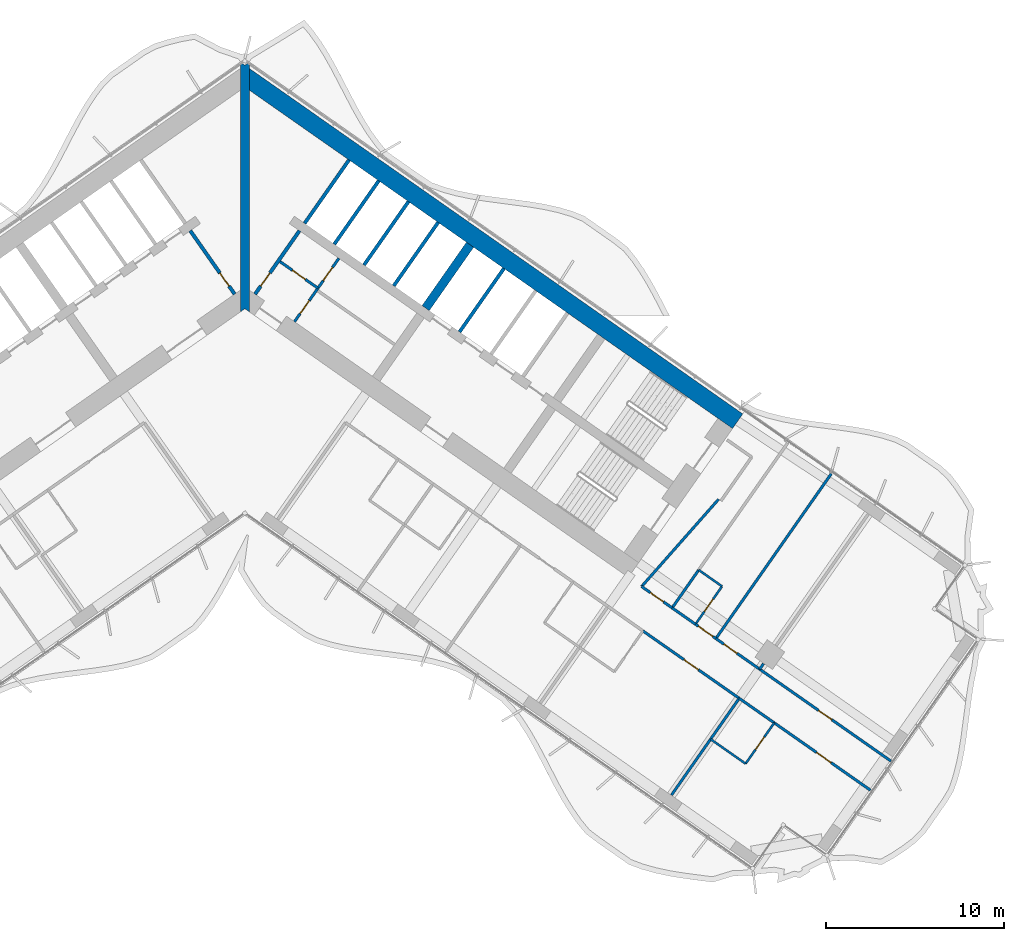
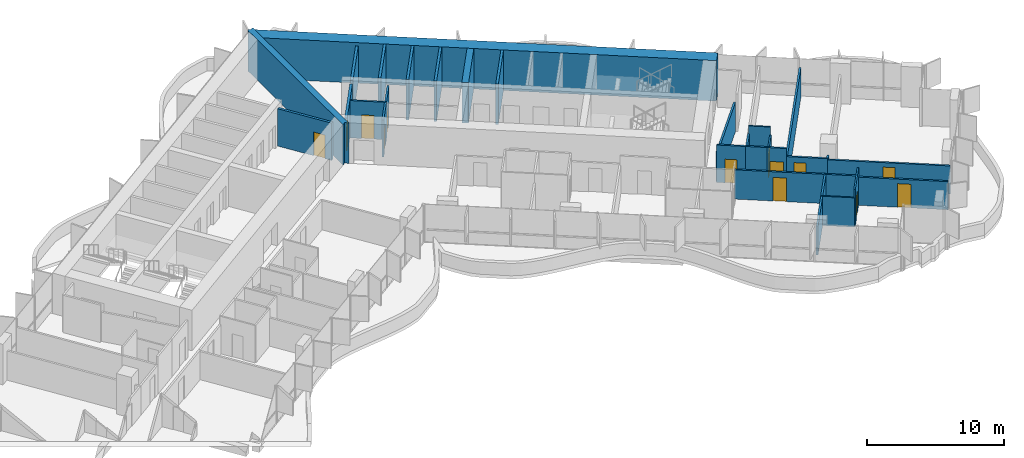
# One storey, part 15 of 23: 30 walls, 13 doors, 13 openings.
"""IFC4 building model written with IfcOpenShell, lengths in metres."""

from ifc_helpers import new_model, si_unit, direction, frame, frame_2d, origin, place, context, subcontext, project, spatial, polyline, rectangle, outline, extrude, material, layer, layer_set, type_object, element, fill, save


model = new_model("IFC4")

# Units and contexts
model_context = context("Model", 3, precision=1e-05, world=origin(), true_north=direction((0.0, 1.0)))
body_context = subcontext(model_context, "Body", "Model", "MODEL_VIEW")
ifc_project = project(units=[si_unit("LENGTHUNIT", "METRE"), si_unit("AREAUNIT", "SQUARE_METRE"), si_unit("VOLUMEUNIT", "CUBIC_METRE"), si_unit("PLANEANGLEUNIT", "RADIAN"), si_unit("MASSUNIT", "GRAM", prefix="KILO")], contexts=[model_context])

# Site, building, storey
site_placement = place(None, origin())
site = spatial("IfcSite", under=ifc_project, at=site_placement, CompositionType="ELEMENT")
building_placement = place(site_placement, origin())
building = spatial("IfcBuilding", under=site, at=building_placement, Name="Tel Ilan Convention Tower", CompositionType="ELEMENT")
storey_placement = place(building_placement, frame((0.0, 0.0, 104.89990234375)))
storey = spatial("IfcBuildingStorey", under=building, at=storey_placement, Name="L22", CompositionType="ELEMENT", Elevation=104.89990234375)

# Wall, openings, doors
ifc_material_1 = material(Name="Gypsum Plasterboard on Steel Stud", Category="steel")
ifc_layer_1 = layer(ifc_material_1, 0.14990234375)
ifc_layer_set_1 = layer_set([ifc_layer_1], Name="Core Room Partition Wall 150 mm EI 60")
wall_type_1 = type_object("IfcWallType", Name="Core Room Partition Wall 150 mm EI 60", PredefinedType="PARTITIONING", material=ifc_layer_set_1)
wall_1_placement = place(storey_placement, frame((2.78515625, -1.9501953125, 0.0), z_axis=(0.0, 0.0, 1.0), x_axis=(0.57356780395, 0.819158088694, 0.0)))
wall_1 = element("IfcWall", 1, at=wall_1_placement, inside=storey, type_object=wall_type_1, Name="L22 core wall wc-v1", PredefinedType="PARTITIONING", context=body_context, shape_type="SweptSolid", body=[
    extrude(rectangle(XDim=4.35009765625, YDim=0.14990234375, at=frame_2d((2.175048828125, 0.0))), origin(), (0.0, 0.0, 1.0), 3.320068359375),
])
opening_1_placement = place(wall_1_placement, frame((0.550048828125, 0.0, 0.0)))
opening_1 = element("IfcOpeningElement", 2, at=opening_1_placement, cuts=wall_1, Name="Opening CD1909", PredefinedType="OPENING", context=body_context, shape_type="SweptSolid", body=[
    extrude(rectangle(XDim=0.89990234375, YDim=2.10009765625, at=frame_2d((0.449951171875, 1.050048828125))), frame((0.0, 0.0849609375, 0.0), z_axis=(0.0, -1.0, 0.0), x_axis=(1.0, 0.0, 0.0)), (0.0, 0.0, 1.0), 0.169921875),
])
opening_2_placement = place(wall_1_placement, frame((2.824951171875, 0.0, 0.0)))
opening_2 = element("IfcOpeningElement", 3, at=opening_2_placement, cuts=wall_1, Name="Opening CD1910", PredefinedType="OPENING", context=body_context, shape_type="SweptSolid", body=[
    extrude(rectangle(XDim=0.89990234375, YDim=2.10009765625, at=frame_2d((0.449951171875, 1.050048828125))), frame((0.0, 0.0849609375, 0.0), z_axis=(0.0, -1.0, 0.0), x_axis=(1.0, 0.0, 0.0)), (0.0, 0.0, 1.0), 0.169921875),
])
ifc_material_2 = material(Name="Laminated Timber Door Leaf", Category="wood")
door_type_1 = type_object("IfcDoorType", Name="Toilet Door 900 x 2100 FD30S", OperationType="NOTDEFINED", PredefinedType="DOOR", material=ifc_material_2)
door_1_placement = place(opening_1_placement, origin())
door_1 = element("IfcDoor", 4, at=door_1_placement, inside=storey, type_object=door_type_1, Name="Women's WC door", OperationType="SINGLE_SWING_RIGHT", OverallHeight=2.10009765625, OverallWidth=0.89990234375, PredefinedType="DOOR", context=body_context, shape_type="SweptSolid", body=[
    extrude(rectangle(XDim=0.89990234375, YDim=2.10009765625, at=frame_2d((0.449951171875, 1.050048828125))), frame((0.0, 0.02490234375, 0.0), z_axis=(0.0, -1.0, 0.0), x_axis=(1.0, 0.0, 0.0)), (0.0, 0.0, 1.0), 0.050048828125),
])
fill(opening_1, door_1)
door_2_placement = place(opening_2_placement, origin())
door_2 = element("IfcDoor", 5, at=door_2_placement, inside=storey, type_object=door_type_1, Name="Men's WC door", OperationType="SINGLE_SWING_RIGHT", OverallHeight=2.10009765625, OverallWidth=0.89990234375, PredefinedType="DOOR", context=body_context, shape_type="SweptSolid", body=[
    extrude(rectangle(XDim=0.89990234375, YDim=2.10009765625, at=frame_2d((0.449951171875, 1.050048828125))), frame((0.0, 0.02490234375, 0.0), z_axis=(0.0, -1.0, 0.0), x_axis=(1.0, 0.0, 0.0)), (0.0, 0.0, 1.0), 0.050048828125),
])
fill(opening_2, door_2)

# Wall, opening, door
wall_2_placement = place(storey_placement, frame((1.974609375, 1.42529296875, 0.0), z_axis=(0.0, 0.0, 1.0), x_axis=(0.819103967032, -0.573645091666, 0.0)))
wall_2 = element("IfcWall", 6, at=wall_2_placement, inside=storey, type_object=wall_type_1, Name="L22 core wall wc-h1", PredefinedType="PARTITIONING", context=body_context, shape_type="SweptSolid", body=[
    extrude(rectangle(XDim=2.599853515625, YDim=0.14990234375, at=frame_2d((1.2998046875, 0.0))), origin(), (0.0, 0.0, 1.0), 3.320068359375),
])
opening_3_placement = place(wall_2_placement, frame((0.85009765625, 0.0, 0.0)))
opening_3 = element("IfcOpeningElement", 7, at=opening_3_placement, cuts=wall_2, Name="Opening CD1908", PredefinedType="OPENING", context=body_context, shape_type="SweptSolid", body=[
    extrude(rectangle(XDim=0.89990234375, YDim=2.10009765625, at=frame_2d((0.449951171875, 1.050048828125))), frame((0.0, 0.0849609375, 0.0), z_axis=(0.0, -1.0, 0.0), x_axis=(1.0, 0.0, 0.0)), (0.0, 0.0, 1.0), 0.169921875),
])
door_3_placement = place(opening_3_placement, origin())
door_3 = element("IfcDoor", 8, at=door_3_placement, inside=storey, type_object=door_type_1, Name="Accessible WC door", OperationType="SINGLE_SWING_RIGHT", OverallHeight=2.10009765625, OverallWidth=0.89990234375, PredefinedType="DOOR", context=body_context, shape_type="SweptSolid", body=[
    extrude(rectangle(XDim=0.89990234375, YDim=2.10009765625, at=frame_2d((0.449951171875, 1.050048828125))), frame((0.0, 0.02490234375, 0.0), z_axis=(0.0, -1.0, 0.0), x_axis=(1.0, 0.0, 0.0)), (0.0, 0.0, 1.0), 0.050048828125),
])
fill(opening_3, door_3)

ifc_material_3 = material(Name="Concrete C30/37", Category="concrete")
ifc_layer_2 = layer(ifc_material_3, 0.199951171875)
ifc_layer_set_2 = layer_set([ifc_layer_2], Name="Core Service Room Wall 200 mm C30/37")
wall_type_2 = type_object("IfcWallType", Name="Core Service Room Wall 200 mm C30/37", PredefinedType="SOLIDWALL", material=ifc_layer_set_2)
wall_3_placement = place(storey_placement, frame((-0.573486328125, -0.401611328125, 0.0), z_axis=(0.0, 0.0, 1.0), x_axis=(-0.57356780395, 0.819158088694, 0.0)))
wall_3 = element("IfcWall", 9, at=wall_3_placement, inside=storey, type_object=wall_type_2, Name="L22 core wall apex-W", PredefinedType="SOLIDWALL", context=body_context, shape_type="SweptSolid", body=[
    extrude(rectangle(XDim=4.35009765625, YDim=0.199951171875, at=frame_2d((2.175048828125, 0.0))), origin(), (0.0, 0.0, 1.0), 3.320068359375),
])
opening_4_placement = place(wall_3_placement, frame((0.550048828125, 0.0, 0.0)))
opening_4 = element("IfcOpeningElement", 10, at=opening_4_placement, cuts=wall_3, Name="Opening CD1902", PredefinedType="OPENING", context=body_context, shape_type="SweptSolid", body=[
    extrude(rectangle(XDim=0.89990234375, YDim=2.10009765625, at=frame_2d((0.449951171875, 1.050048828125))), frame((0.0, 0.10986328125, 0.0), z_axis=(0.0, -1.0, 0.0), x_axis=(1.0, 0.0, 0.0)), (0.0, 0.0, 1.0), 0.219970703125),
])
ifc_material_4 = material(Name="Galvanised Steel Door Leaf", Category="steel")
door_type_2 = type_object("IfcDoorType", Name="Service Room Door 900 x 2100 FD60", OperationType="NOTDEFINED", PredefinedType="DOOR", material=ifc_material_4)
door_4_placement = place(opening_4_placement, origin())
door_4 = element("IfcDoor", 11, at=door_4_placement, inside=storey, type_object=door_type_2, Name="Electrical Room door", OperationType="SINGLE_SWING_RIGHT", OverallHeight=2.10009765625, OverallWidth=0.89990234375, PredefinedType="DOOR", context=body_context, shape_type="SweptSolid", body=[
    extrude(rectangle(XDim=0.89990234375, YDim=2.10009765625, at=frame_2d((0.449951171875, 1.050048828125))), frame((0.0, 0.02490234375, 0.0), z_axis=(0.0, -1.0, 0.0), x_axis=(1.0, 0.0, 0.0)), (0.0, 0.0, 1.0), 0.050048828125),
])
fill(opening_4, door_4)

wall_4_placement = place(storey_placement, frame((0.573486328125, -0.401611328125, 0.0), z_axis=(0.0, 0.0, 1.0), x_axis=(0.57356780395, 0.819158088694, 0.0)))
wall_4 = element("IfcWall", 12, at=wall_4_placement, inside=storey, type_object=wall_type_2, Name="L22 core wall apex-E", PredefinedType="SOLIDWALL", context=body_context, shape_type="SweptSolid", body=[
    extrude(rectangle(XDim=4.35009765625, YDim=0.199951171875, at=frame_2d((2.175048828125, 0.0))), origin(), (0.0, 0.0, 1.0), 3.320068359375),
])
opening_5_placement = place(wall_4_placement, frame((0.550048828125, 0.0, 0.0)))
opening_5 = element("IfcOpeningElement", 13, at=opening_5_placement, cuts=wall_4, Name="Opening CD1901", PredefinedType="OPENING", context=body_context, shape_type="SweptSolid", body=[
    extrude(rectangle(XDim=0.89990234375, YDim=2.10009765625, at=frame_2d((0.449951171875, 1.050048828125))), frame((0.0, 0.10986328125, 0.0), z_axis=(0.0, -1.0, 0.0), x_axis=(1.0, 0.0, 0.0)), (0.0, 0.0, 1.0), 0.219970703125),
])
door_5_placement = place(opening_5_placement, origin())
door_5 = element("IfcDoor", 14, at=door_5_placement, inside=storey, type_object=door_type_2, Name="Store Room door", OperationType="SINGLE_SWING_RIGHT", OverallHeight=2.10009765625, OverallWidth=0.89990234375, PredefinedType="DOOR", context=body_context, shape_type="SweptSolid", body=[
    extrude(rectangle(XDim=0.89990234375, YDim=2.10009765625, at=frame_2d((0.449951171875, 1.050048828125))), frame((0.0, 0.02490234375, 0.0), z_axis=(0.0, -1.0, 0.0), x_axis=(1.0, 0.0, 0.0)), (0.0, 0.0, 1.0), 0.050048828125),
])
fill(opening_5, door_5)

# Walls
wall_5_placement = place(storey_placement, frame((3.355224609375, 3.5712890625, 0.0), z_axis=(0.0, 0.0, 1.0), x_axis=(0.57356780395, 0.819158088694, 0.0)))
element("IfcWall", 15, at=wall_5_placement, inside=storey, type_object=wall_type_2, Name="L22 core wall apex-E-b", PredefinedType="SOLIDWALL", context=body_context, shape_type="SweptSolid", body=[
    extrude(rectangle(XDim=4.35009765625, YDim=0.199951171875, at=frame_2d((2.175048828125, 0.0))), origin(), (0.0, 0.0, 1.0), 3.320068359375),
])
ifc_material_5 = material(Name="Concrete C60/75", Category="concrete")
ifc_layer_3 = layer(ifc_material_5, 1.0)
ifc_layer_set_3 = layer_set([ifc_layer_3], Name="Core Shear Wall 1000 mm C60/75")
wall_type_3 = type_object("IfcWallType", Name="Core Shear Wall 1000 mm C60/75", PredefinedType="SHEAR", material=ifc_layer_set_3)
wall_6_placement = place(storey_placement, frame((-0.036865234375, 11.8671875, 0.0), z_axis=(0.0, 0.0, 1.0), x_axis=(0.819155306259, -0.573571777746, 0.0)))
element("IfcWall", 16, at=wall_6_placement, inside=storey, type_object=wall_type_3, Name="L22 core wall E-back", PredefinedType="SHEAR", context=body_context, shape_type="SweptSolid", body=[
    extrude(outline(polyline([(33.8369140625, 0.5), (0.0, 0.5), (0.7001953125, -0.499755859375), (33.8369140625, -0.5), (33.8369140625, 0.5)])), origin(), (0.0, 0.0, 1.0), 3.60009765625),
])
ifc_material_6 = material(Name="Concrete C60/75", Category="concrete")
ifc_layer_4 = layer(ifc_material_6, 0.5)
ifc_layer_set_4 = layer_set([ifc_layer_4], Name="Core Shear Wall 500 mm C60/75")
wall_type_4 = type_object("IfcWallType", Name="Core Shear Wall 500 mm C60/75", PredefinedType="SHEAR", material=ifc_layer_set_4)
wall_7_placement = place(storey_placement, frame((10.154296875, -1.189208984375, 0.0), z_axis=(0.0, 0.0, 1.0), x_axis=(0.573594173421, 0.819139624372, 0.0)))
element("IfcWall", 17, at=wall_7_placement, inside=storey, type_object=wall_type_4, Name="L22 core wall E-cross1-2", PredefinedType="SHEAR", context=body_context, shape_type="SweptSolid", body=[
    extrude(outline(polyline([(4.349853515625, -0.25), (4.349853515625, 0.25), (-0.000244140625, 0.25), (-0.000244140625, -0.25), (4.349853515625, -0.25)])), origin(), (0.0, 0.0, 1.0), 3.60009765625),
])
wall_8_placement = place(storey_placement, frame((0.0, -1.395751953125, 0.0), z_axis=(0.0, 0.0, 1.0), x_axis=(0.0, 1.0, 0.0)))
element("IfcWall", 18, at=wall_8_placement, inside=storey, type_object=wall_type_4, Name="L22 core wall K-central", PredefinedType="SHEAR", context=body_context, shape_type="SweptSolid", body=[
    extrude(outline(polyline([(0.0, -0.25), (0.175048828125, -0.25), (1.220703125, -0.25), (12.451904296875, -0.25), (13.84765625, -0.25), (13.85693359375, -0.25), (13.96826171875, -0.172119140625), (13.84765625, 0.0), (13.96826171875, 0.172119140625), (13.85693359375, 0.25), (13.84765625, 0.25), (12.451904296875, 0.25), (1.220703125, 0.25), (0.175048828125, 0.25), (0.0, 0.25), (0.175048828125, 0.0), (0.0, -0.25)])), origin(), (0.0, 0.0, 1.0), 3.60009765625),
])

# Wall, opening, door
ifc_material_7 = material(Name="Plasterboard on Steel Studs", Category="steel")
ifc_layer_5 = layer(ifc_material_7, 0.14990234375)
ifc_layer_set_5 = layer_set([ifc_layer_5], Name="Fire-rated Partition 150 EI 60")
wall_type_5 = type_object("IfcWallType", Name="Fire-rated Partition 150 EI 60", PredefinedType="PARTITIONING", material=ifc_layer_set_5)
wall_9_placement = place(storey_placement, frame((22.28369140625, -16.823974609375, 0.0), z_axis=(0.0, 0.0, 1.0), x_axis=(0.819160859995, -0.573563846013, 0.0)))
wall_9 = element("IfcWall", 19, at=wall_9_placement, inside=storey, type_object=wall_type_5, Name="Partition 001", PredefinedType="PARTITIONING", context=body_context, shape_type="SweptSolid", body=[
    extrude(rectangle(XDim=2.098388671875, YDim=0.14990234375, at=frame_2d((1.04931640625, 0.0))), origin(), (0.0, 0.0, 1.0), 3.320068359375),
])
opening_6_placement = place(wall_9_placement, frame((0.59912109375, 0.0, 0.0)))
opening_6 = element("IfcOpeningElement", 20, at=opening_6_placement, cuts=wall_9, Name="Opening L21-029", PredefinedType="OPENING", context=body_context, shape_type="SweptSolid", body=[
    extrude(rectangle(XDim=0.89990234375, YDim=2.10009765625, at=frame_2d((0.449951171875, 1.050048828125))), frame((0.0, 0.0849609375, 0.0), z_axis=(0.0, -1.0, 0.0), x_axis=(1.0, 0.0, 0.0)), (0.0, 0.0, 1.0), 0.169921875),
])
ifc_material_8 = material(Name="Timber Door Leaf in Steel Frame", Category="steel")
door_type_3 = type_object("IfcDoorType", Name="Room Fire Door 900x2100", OperationType="NOTDEFINED", PredefinedType="DOOR", material=ifc_material_8)
door_6_placement = place(opening_6_placement, origin())
door_6 = element("IfcDoor", 21, at=door_6_placement, inside=storey, type_object=door_type_3, Name="Door L21-029", OperationType="SINGLE_SWING_LEFT", OverallHeight=2.10009765625, OverallWidth=0.89990234375, PredefinedType="DOOR", context=body_context, shape_type="SweptSolid", body=[
    extrude(rectangle(XDim=0.89990234375, YDim=2.10009765625, at=frame_2d((0.449951171875, 1.050048828125))), frame((0.0, 0.02490234375, 0.0), z_axis=(0.0, -1.0, 0.0), x_axis=(1.0, 0.0, 0.0)), (0.0, 0.0, 1.0), 0.050048828125),
])
fill(opening_6, door_6)

wall_10_placement = place(storey_placement, frame((25.310791015625, -18.943603515625, 0.0), z_axis=(0.0, 0.0, 1.0), x_axis=(0.819199220913, -0.573509055252, 0.0)))
wall_10 = element("IfcWall", 22, at=wall_10_placement, inside=storey, type_object=wall_type_5, Name="Partition 002", PredefinedType="PARTITIONING", context=body_context, shape_type="SweptSolid", body=[
    extrude(rectangle(XDim=1.403076171875, YDim=0.14990234375, at=frame_2d((0.70166015625, 0.0))), origin(), (0.0, 0.0, 1.0), 3.320068359375),
])
opening_7_placement = place(wall_10_placement, frame((0.200927734375, 0.0, 0.0)))
opening_7 = element("IfcOpeningElement", 23, at=opening_7_placement, cuts=wall_10, Name="Opening L21-031", PredefinedType="OPENING", context=body_context, shape_type="SweptSolid", body=[
    extrude(rectangle(XDim=1.0, YDim=2.10009765625, at=frame_2d((0.5, 1.050048828125))), frame((0.0, 0.0849609375, 0.0), z_axis=(0.0, -1.0, 0.0), x_axis=(1.0, 0.0, 0.0)), (0.0, 0.0, 1.0), 0.169921875),
])
ifc_material_9 = material(Name="Timber Door Leaf in Steel Frame", Category="steel")
door_type_4 = type_object("IfcDoorType", Name="Hotel Room Entrance Fire Door 1000x2100", OperationType="NOTDEFINED", PredefinedType="DOOR", material=ifc_material_9)
door_7_placement = place(opening_7_placement, origin())
door_7 = element("IfcDoor", 24, at=door_7_placement, inside=storey, type_object=door_type_4, Name="Door L21-031", OperationType="SINGLE_SWING_RIGHT", OverallHeight=2.10009765625, OverallWidth=1.0, PredefinedType="DOOR", context=body_context, shape_type="SweptSolid", body=[
    extrude(rectangle(XDim=1.0, YDim=2.10009765625, at=frame_2d((0.5, 1.050048828125))), frame((0.0, 0.02490234375, 0.0), z_axis=(0.0, -1.0, 0.0), x_axis=(1.0, 0.0, 0.0)), (0.0, 0.0, 1.0), 0.050048828125),
])
fill(opening_7, door_7)

# Wall
wall_11_placement = place(storey_placement, frame((23.999267578125, -18.025390625, 0.0), z_axis=(0.0, 0.0, 1.0), x_axis=(0.819189013667, -0.573523634986, 0.0)))
element("IfcWall", 25, at=wall_11_placement, inside=storey, type_object=wall_type_5, Name="Partition 003", PredefinedType="PARTITIONING", context=body_context, shape_type="SweptSolid", body=[
    extrude(rectangle(XDim=1.60400390625, YDim=0.14990234375, at=frame_2d((0.802001953125, 0.0))), origin(), (0.0, 0.0, 1.0), 3.320068359375),
])

# Wall, opening, door
wall_12_placement = place(storey_placement, frame((26.456787109375, -19.74609375, 0.0), z_axis=(0.0, 0.0, 1.0), x_axis=(0.81916700466, -0.573555070134, 0.0)))
wall_12 = element("IfcWall", 26, at=wall_12_placement, inside=storey, type_object=wall_type_5, Name="Partition 004", PredefinedType="PARTITIONING", context=body_context, shape_type="SweptSolid", body=[
    extrude(rectangle(XDim=3.00390625, YDim=0.14990234375, at=frame_2d((1.501953125, 0.0))), origin(), (0.0, 0.0, 1.0), 2.60009765625),
])
opening_8_placement = place(wall_12_placement, frame((0.552001953125, 0.0, 0.0)))
opening_8 = element("IfcOpeningElement", 27, at=opening_8_placement, cuts=wall_12, Name="Opening L21-032", PredefinedType="OPENING", context=body_context, shape_type="SweptSolid", body=[
    extrude(rectangle(XDim=0.89990234375, YDim=2.10009765625, at=frame_2d((0.449951171875, 1.050048828125))), frame((0.0, 0.0849609375, 0.0), z_axis=(0.0, -1.0, 0.0), x_axis=(1.0, 0.0, 0.0)), (0.0, 0.0, 1.0), 0.169921875),
])
door_8_placement = place(opening_8_placement, origin())
door_8 = element("IfcDoor", 28, at=door_8_placement, inside=storey, type_object=door_type_3, Name="Door L21-032", OperationType="SINGLE_SWING_RIGHT", OverallHeight=2.10009765625, OverallWidth=0.89990234375, PredefinedType="DOOR", context=body_context, shape_type="SweptSolid", body=[
    extrude(rectangle(XDim=0.89990234375, YDim=2.10009765625, at=frame_2d((0.449951171875, 1.050048828125))), frame((0.0, 0.02490234375, 0.0), z_axis=(0.0, -1.0, 0.0), x_axis=(1.0, 0.0, 0.0)), (0.0, 0.0, 1.0), 0.050048828125),
])
fill(opening_8, door_8)

wall_13_placement = place(storey_placement, frame((28.914306640625, -21.466796875, 0.0), z_axis=(0.0, 0.0, 1.0), x_axis=(0.81915291695, -0.57357519006, 0.0)))
wall_13 = element("IfcWall", 29, at=wall_13_placement, inside=storey, type_object=wall_type_5, Name="Partition 005", PredefinedType="PARTITIONING", context=body_context, shape_type="SweptSolid", body=[
    extrude(rectangle(XDim=9.001953125, YDim=0.14990234375, at=frame_2d((4.5009765625, 0.0))), origin(), (0.0, 0.0, 1.0), 2.5),
])
opening_9_placement = place(wall_13_placement, frame((4.051025390625, 0.0, 0.0)))
opening_9 = element("IfcOpeningElement", 30, at=opening_9_placement, cuts=wall_13, Name="Opening L21-033", PredefinedType="OPENING", context=body_context, shape_type="SweptSolid", body=[
    extrude(rectangle(XDim=0.89990234375, YDim=2.10009765625, at=frame_2d((0.449951171875, 1.050048828125))), frame((0.0, 0.0849609375, 0.0), z_axis=(0.0, -1.0, 0.0), x_axis=(1.0, 0.0, 0.0)), (0.0, 0.0, 1.0), 0.169921875),
])
door_9_placement = place(opening_9_placement, origin())
door_9 = element("IfcDoor", 31, at=door_9_placement, inside=storey, type_object=door_type_3, Name="Door L21-033", OperationType="SINGLE_SWING_RIGHT", OverallHeight=2.10009765625, OverallWidth=0.89990234375, PredefinedType="DOOR", context=body_context, shape_type="SweptSolid", body=[
    extrude(rectangle(XDim=0.89990234375, YDim=2.10009765625, at=frame_2d((0.449951171875, 1.050048828125))), frame((0.0, 0.02490234375, 0.0), z_axis=(0.0, -1.0, 0.0), x_axis=(1.0, 0.0, 0.0)), (0.0, 0.0, 1.0), 0.050048828125),
])
fill(opening_9, door_9)

wall_14_placement = place(storey_placement, frame((27.7705078125, -23.107421875, 0.0), z_axis=(0.0, 0.0, 1.0), x_axis=(-0.819153746897, 0.573574004767, 0.0)))
wall_14 = element("IfcWall", 32, at=wall_14_placement, inside=storey, type_object=wall_type_5, Name="Partition 012", PredefinedType="PARTITIONING", context=body_context, shape_type="SweptSolid", body=[
    extrude(rectangle(XDim=6.60302734375, YDim=0.14990234375, at=frame_2d((3.301513671875, 0.0))), origin(), (0.0, 0.0, 1.0), 2.60009765625),
])
opening_10_placement = place(wall_14_placement, frame((2.802001953125, 0.0, 0.0)))
opening_10 = element("IfcOpeningElement", 33, at=opening_10_placement, cuts=wall_14, Name="Opening L21-026", PredefinedType="OPENING", context=body_context, shape_type="SweptSolid", body=[
    extrude(rectangle(XDim=1.0, YDim=2.10009765625, at=frame_2d((0.5, 1.050048828125))), frame((0.0, 0.0849609375, 0.0), z_axis=(0.0, -1.0, 0.0), x_axis=(1.0, 0.0, 0.0)), (0.0, 0.0, 1.0), 0.169921875),
])
door_10_placement = place(opening_10_placement, origin())
door_10 = element("IfcDoor", 34, at=door_10_placement, inside=storey, type_object=door_type_4, Name="Door L21-026", OperationType="SINGLE_SWING_LEFT", OverallHeight=2.10009765625, OverallWidth=1.0, PredefinedType="DOOR", context=body_context, shape_type="SweptSolid", body=[
    extrude(rectangle(XDim=1.0, YDim=2.10009765625, at=frame_2d((0.5, 1.050048828125))), frame((0.0, 0.02490234375, 0.0), z_axis=(0.0, -1.0, 0.0), x_axis=(1.0, 0.0, 0.0)), (0.0, 0.0, 1.0), 0.050048828125),
])
fill(opening_10, door_10)

wall_15_placement = place(storey_placement, frame((35.14111328125, -28.268310546875, 0.0), z_axis=(0.0, 0.0, 1.0), x_axis=(-0.819155459934, 0.573571558274, 0.0)))
wall_15 = element("IfcWall", 35, at=wall_15_placement, inside=storey, type_object=wall_type_5, Name="Partition 014", PredefinedType="PARTITIONING", context=body_context, shape_type="SweptSolid", body=[
    extrude(rectangle(XDim=6.60107421875, YDim=0.14990234375, at=frame_2d((3.300537109375, 0.0))), origin(), (0.0, 0.0, 1.0), 2.5),
])
opening_11_placement = place(wall_15_placement, frame((2.699951171875, 0.0, 0.0)))
opening_11 = element("IfcOpeningElement", 36, at=opening_11_placement, cuts=wall_15, Name="Opening L21-028", PredefinedType="OPENING", context=body_context, shape_type="SweptSolid", body=[
    extrude(rectangle(XDim=1.0, YDim=2.10009765625, at=frame_2d((0.5, 1.050048828125))), frame((0.0, 0.0849609375, 0.0), z_axis=(0.0, -1.0, 0.0), x_axis=(1.0, 0.0, 0.0)), (0.0, 0.0, 1.0), 0.169921875),
])
door_11_placement = place(opening_11_placement, origin())
door_11 = element("IfcDoor", 37, at=door_11_placement, inside=storey, type_object=door_type_4, Name="Door L21-028", OperationType="SINGLE_SWING_RIGHT", OverallHeight=2.10009765625, OverallWidth=1.0, PredefinedType="DOOR", context=body_context, shape_type="SweptSolid", body=[
    extrude(rectangle(XDim=1.0, YDim=2.10009765625, at=frame_2d((0.5, 1.050048828125))), frame((0.0, 0.02490234375, 0.0), z_axis=(0.0, -1.0, 0.0), x_axis=(1.0, 0.0, 0.0)), (0.0, 0.0, 1.0), 0.050048828125),
])
fill(opening_11, door_11)

# Walls
wall_16_placement = place(storey_placement, frame((29.736328125, -24.48388671875, 0.0), z_axis=(0.0, 0.0, 1.0), x_axis=(-0.819146032251, 0.573585022335, 0.0)))
element("IfcWall", 38, at=wall_16_placement, inside=storey, type_object=wall_type_5, Name="Partition 015", PredefinedType="PARTITIONING", context=body_context, shape_type="SweptSolid", body=[
    extrude(rectangle(XDim=2.404052734375, YDim=0.14990234375, at=frame_2d((1.2021484375, 0.0))), origin(), (0.0, 0.0, 1.0), 2.60009765625),
])
wall_17_placement = place(storey_placement, frame((25.493408203125, -15.89501953125, 0.0), z_axis=(0.0, 0.0, 1.0), x_axis=(-0.573588285102, -0.819143747577, 0.0)))
element("IfcWall", 39, at=wall_17_placement, inside=storey, type_object=wall_type_5, Name="Partition 035", PredefinedType="PARTITIONING", context=body_context, shape_type="SweptSolid", body=[
    extrude(rectangle(XDim=2.601806640625, YDim=0.14990234375, at=frame_2d((1.30078125, 0.0))), origin(), (0.0, 0.0, 1.0), 2.60009765625),
])
wall_18_placement = place(storey_placement, frame((22.285400390625, -16.8251953125, 0.0), z_axis=(0.0, 0.0, 1.0), x_axis=(0.661551268245, 0.749899939647, 0.0)))
element("IfcWall", 40, at=wall_18_placement, inside=storey, type_object=wall_type_5, Name="Partition 036", PredefinedType="PARTITIONING", context=body_context, shape_type="SweptSolid", body=[
    extrude(rectangle(XDim=6.541015625, YDim=0.14990234375, at=frame_2d((3.2705078125, 0.0))), origin(), (0.0, 0.0, 1.0), 2.60009765625),
])
wall_19_placement = place(storey_placement, frame((32.93994140625, -10.49072265625, 0.0), z_axis=(0.0, 0.0, 1.0), x_axis=(-0.573571089604, -0.819155788095, 0.0)))
element("IfcWall", 41, at=wall_19_placement, inside=storey, type_object=wall_type_5, Name="Partition 041", PredefinedType="PARTITIONING", context=body_context, shape_type="SweptSolid", body=[
    extrude(rectangle(XDim=11.300048828125, YDim=0.14990234375, at=frame_2d((5.64990234375, 0.0))), origin(), (0.0, 0.0, 1.0), 2.60009765625),
])
wall_20_placement = place(storey_placement, frame((29.1337890625, -21.156494140625, 0.0), z_axis=(0.0, 0.0, 1.0), x_axis=(-0.572944929411, -0.819593867633, 0.0)))
element("IfcWall", 42, at=wall_20_placement, inside=storey, type_object=wall_type_5, Name="Partition 043", PredefinedType="PARTITIONING", context=body_context, shape_type="SweptSolid", body=[
    extrude(rectangle(XDim=0.380126953125, YDim=0.14990234375, at=frame_2d((0.18994140625, 0.0))), origin(), (0.0, 0.0, 1.0), 2.60009765625),
])
wall_21_placement = place(storey_placement, frame((26.163330078125, -25.39892578125, 0.0), z_axis=(0.0, 0.0, 1.0), x_axis=(-0.57359919792, -0.819136105995, 0.0)))
element("IfcWall", 43, at=wall_21_placement, inside=storey, type_object=wall_type_5, Name="Partition 058", PredefinedType="PARTITIONING", context=body_context, shape_type="SweptSolid", body=[
    extrude(rectangle(XDim=3.8310546875, YDim=0.14990234375, at=frame_2d((1.91552734375, 0.0))), origin(), (0.0, 0.0, 1.0), 2.60009765625),
])
wall_22_placement = place(storey_placement, frame((27.768798828125, -23.106201171875, 0.0), z_axis=(0.0, 0.0, 1.0), x_axis=(-0.573555899632, -0.819166423871, 0.0)))
element("IfcWall", 44, at=wall_22_placement, inside=storey, type_object=wall_type_5, Name="Partition 059", PredefinedType="PARTITIONING", context=body_context, shape_type="SweptSolid", body=[
    extrude(rectangle(XDim=2.80224609375, YDim=0.14990234375, at=frame_2d((1.401123046875, 0.0))), origin(), (0.0, 0.0, 1.0), 2.60009765625),
])
ifc_material_10 = material(Name="Concrete C30/37", Category="concrete")
ifc_layer_6 = layer(ifc_material_10, 0.199951171875)
ifc_layer_set_6 = layer_set([ifc_layer_6], Name="Lift Shaft Wall 200 mm C30/37")
wall_type_6 = type_object("IfcWallType", Name="Lift Shaft Wall 200 mm C30/37", PredefinedType="SOLIDWALL", material=ifc_layer_set_6)
wall_23_placement = place(storey_placement, frame((5.0244140625, 2.402587890625, 0.0), z_axis=(0.0, 0.0, 1.0), x_axis=(0.573530143085, 0.819184457233, 0.0)))
element("IfcWall", 45, at=wall_23_placement, inside=storey, type_object=wall_type_6, Name="L22 core wall bank-E1-p0", PredefinedType="SOLIDWALL", context=body_context, shape_type="SweptSolid", body=[
    extrude(rectangle(XDim=4.35009765625, YDim=0.199951171875, at=frame_2d((2.175048828125, 0.0))), origin(), (0.0, 0.0, 1.0), 3.60009765625),
])
for number, where, z_axis, x_axis, name in (
    (46, (6.693359375, 1.234130859375, 0.0), (0.0, 0.0, 1.0), (0.573594173421, 0.819139624372, 0.0), "L22 core wall bank-E1-p1"),
    (47, (8.3623046875, 0.0654296875, 0.0), (0.0, 0.0, 1.0), (0.573594173421, 0.819139624372, 0.0), "L22 core wall bank-E1-p2"),
    (48, (12.05859375, -2.52294921875, 0.0), (0.0, 0.0, 1.0), (0.573594173421, 0.819139624372, 0.0), "L22 core wall bank-E2-p0"),
):
    element("IfcWall", number, at=place(storey_placement, frame(where, z_axis=z_axis, x_axis=x_axis)), inside=storey, type_object=wall_type_6, Name=name, PredefinedType="SOLIDWALL", context=body_context, shape_type="SweptSolid", body=[
        extrude(rectangle(XDim=4.349853515625, YDim=0.199951171875, at=frame_2d((2.1748046875, 0.0))), origin(), (0.0, 0.0, 1.0), 3.60009765625),
    ])

# Wall, opening, door
ifc_material_11 = material(Name="Plasterboard on Steel Studs", Category="steel")
ifc_layer_7 = layer(ifc_material_11, 0.1201171875)
ifc_layer_set_7 = layer_set([ifc_layer_7], Name="Moisture-resistant Partition 120")
wall_type_7 = type_object("IfcWallType", Name="Moisture-resistant Partition 120", PredefinedType="PARTITIONING", material=ifc_layer_set_7)
wall_24_placement = place(storey_placement, frame((25.3125, -18.944580078125, 0.0), z_axis=(0.0, 0.0, 1.0), x_axis=(0.573582085028, 0.819148089014, 0.0)))
wall_24 = element("IfcWall", 49, at=wall_24_placement, inside=storey, type_object=wall_type_7, Name="Partition 039", PredefinedType="PARTITIONING", context=body_context, shape_type="SweptSolid", body=[
    extrude(rectangle(XDim=2.599853515625, YDim=0.1201171875, at=frame_2d((1.2998046875, 0.0))), origin(), (0.0, 0.0, 1.0), 2.60009765625),
])
opening_12_placement = place(wall_24_placement, frame((0.875, 0.0, 0.0)))
opening_12 = element("IfcOpeningElement", 50, at=opening_12_placement, cuts=wall_24, Name="Opening L21-030", PredefinedType="OPENING", context=body_context, shape_type="SweptSolid", body=[
    extrude(rectangle(XDim=0.85009765625, YDim=2.050048828125, at=frame_2d((0.425048828125, 1.02490234375))), frame((0.0, 0.070068359375, 0.0), z_axis=(0.0, -1.0, 0.0), x_axis=(1.0, 0.0, 0.0)), (0.0, 0.0, 1.0), 0.14013671875),
])
ifc_material_12 = material(Name="Timber Door Leaf in Steel Frame", Category="steel")
door_type_5 = type_object("IfcDoorType", Name="Bathroom Timber Door 850x2050", OperationType="NOTDEFINED", PredefinedType="DOOR", material=ifc_material_12)
door_12_placement = place(opening_12_placement, origin())
door_12 = element("IfcDoor", 51, at=door_12_placement, inside=storey, type_object=door_type_5, Name="Door L21-030", OperationType="SINGLE_SWING_LEFT", OverallHeight=2.050048828125, OverallWidth=0.85009765625, PredefinedType="DOOR", context=body_context, shape_type="SweptSolid", body=[
    extrude(rectangle(XDim=0.85009765625, YDim=2.050048828125, at=frame_2d((0.425048828125, 1.02490234375))), frame((0.0, 0.02490234375, 0.0), z_axis=(0.0, -1.0, 0.0), x_axis=(1.0, 0.0, 0.0)), (0.0, 0.0, 1.0), 0.050048828125),
])
fill(opening_12, door_12)

# Walls
wall_25_placement = place(storey_placement, frame((26.803466796875, -16.813720703125, 0.0), z_axis=(0.0, 0.0, 1.0), x_axis=(-0.819059844958, 0.573708088123, 0.0)))
element("IfcWall", 52, at=wall_25_placement, inside=storey, type_object=wall_type_7, Name="Partition 040", PredefinedType="PARTITIONING", context=body_context, shape_type="SweptSolid", body=[
    extrude(rectangle(XDim=1.60009765625, YDim=0.1201171875, at=frame_2d((0.800048828125, 0.0))), origin(), (0.0, 0.0, 1.0), 3.320068359375),
])
wall_26_placement = place(storey_placement, frame((26.162109375, -25.400634765625, 0.0), z_axis=(0.0, 0.0, 1.0), x_axis=(0.819188907105, -0.573523787192, 0.0)))
element("IfcWall", 53, at=wall_26_placement, inside=storey, type_object=wall_type_7, Name="Partition 060", PredefinedType="PARTITIONING", context=body_context, shape_type="SweptSolid", body=[
    extrude(rectangle(XDim=2.39990234375, YDim=0.1201171875, at=frame_2d((1.199951171875, 0.0))), origin(), (0.0, 0.0, 1.0), 2.60009765625),
])

# Wall, opening, door
wall_27_placement = place(storey_placement, frame((28.12939453125, -26.777099609375, 0.0), z_axis=(0.0, 0.0, 1.0), x_axis=(0.573608623498, 0.819129505664, 0.0)))
wall_27 = element("IfcWall", 54, at=wall_27_placement, inside=storey, type_object=wall_type_7, Name="Partition 061", PredefinedType="PARTITIONING", context=body_context, shape_type="SweptSolid", body=[
    extrude(rectangle(XDim=2.800048828125, YDim=0.1201171875, at=frame_2d((1.39990234375, 0.0))), origin(), (0.0, 0.0, 1.0), 3.320068359375),
])
opening_13_placement = place(wall_27_placement, frame((0.97509765625, 0.0, 0.0)))
opening_13 = element("IfcOpeningElement", 55, at=opening_13_placement, cuts=wall_27, Name="Opening L21-027", PredefinedType="OPENING", context=body_context, shape_type="SweptSolid", body=[
    extrude(rectangle(XDim=0.85009765625, YDim=2.050048828125, at=frame_2d((0.425048828125, 1.02490234375))), frame((0.0, 0.070068359375, 0.0), z_axis=(0.0, -1.0, 0.0), x_axis=(1.0, 0.0, 0.0)), (0.0, 0.0, 1.0), 0.14013671875),
])
door_13_placement = place(opening_13_placement, origin())
door_13 = element("IfcDoor", 56, at=door_13_placement, inside=storey, type_object=door_type_5, Name="Door L21-027", OperationType="SINGLE_SWING_LEFT", OverallHeight=2.050048828125, OverallWidth=0.85009765625, PredefinedType="DOOR", context=body_context, shape_type="SweptSolid", body=[
    extrude(rectangle(XDim=0.85009765625, YDim=2.050048828125, at=frame_2d((0.425048828125, 1.02490234375))), frame((0.0, 0.02490234375, 0.0), z_axis=(0.0, -1.0, 0.0), x_axis=(1.0, 0.0, 0.0)), (0.0, 0.0, 1.0), 0.050048828125),
])
fill(opening_13, door_13)

save(model, "model.ifc")
